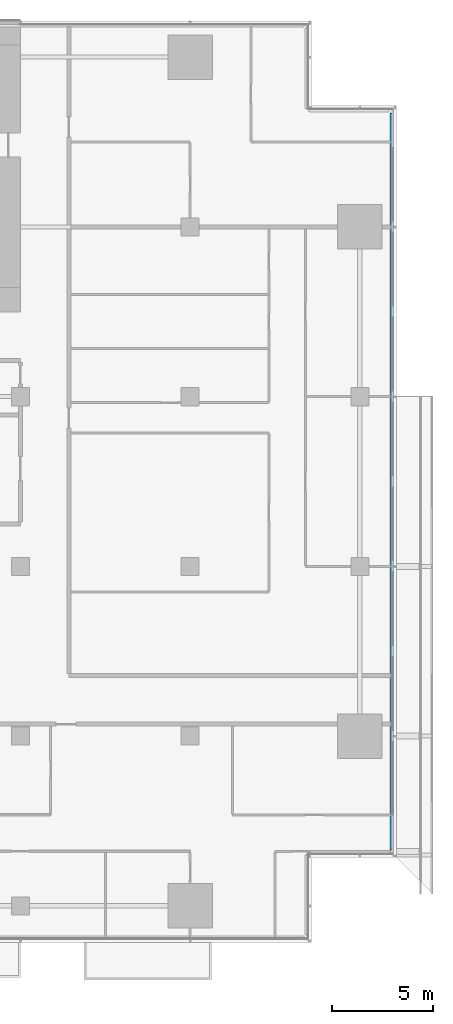
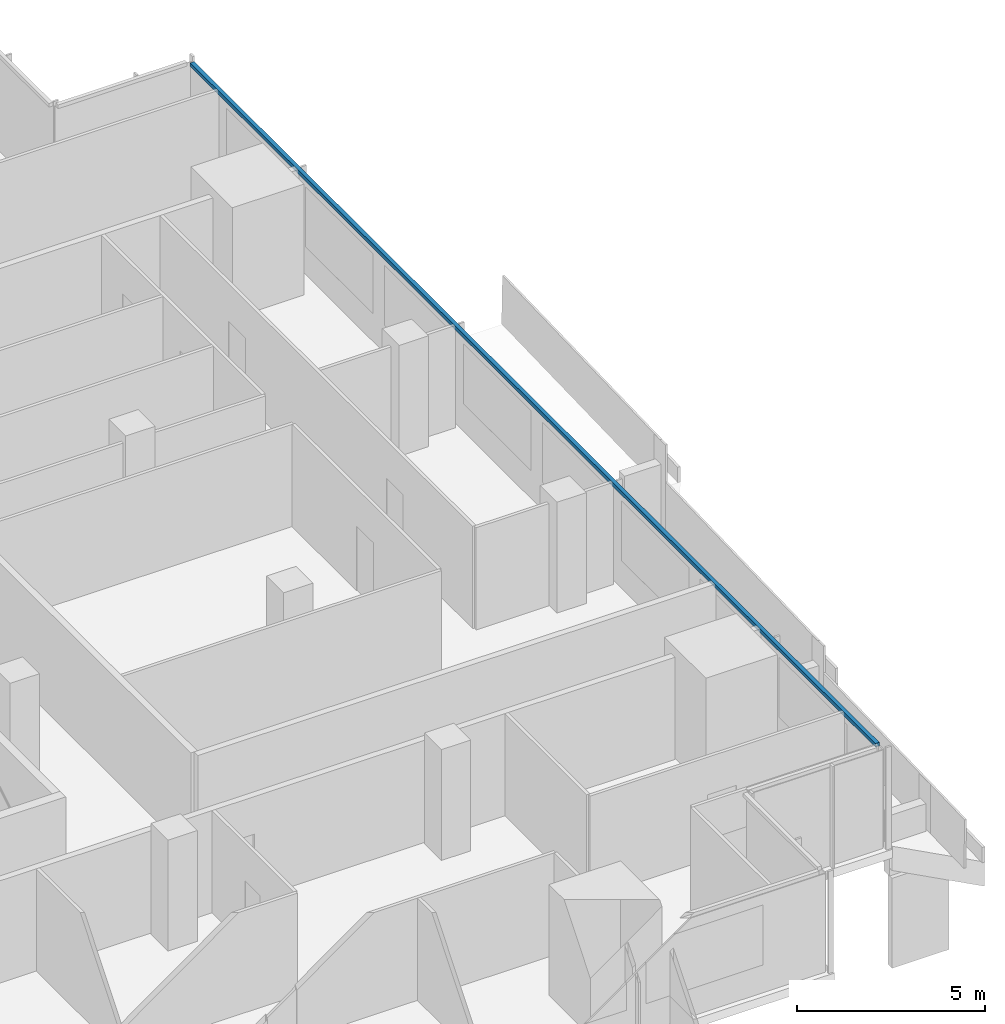
# One storey, part 13 of 28: 1 member, 1 element without a shape of its own.
"""IFC4 building model written with IfcOpenShell, lengths in metres."""

from ifc_helpers import new_model, si_unit, direction, frame, origin, origin_2d, place, context, subcontext, project, spatial, rectangle, extrude, material, material_profile, profile_set, type_object, element, aggregate, save


model = new_model("IFC4")

# Units and contexts
model_context = context("Model", 3, precision=1e-05, world=origin(), true_north=direction((0.0, 1.0)))
body_context = subcontext(model_context, "Body", "Model", "MODEL_VIEW")
ifc_project = project(units=[si_unit("LENGTHUNIT", "METRE"), si_unit("AREAUNIT", "SQUARE_METRE"), si_unit("VOLUMEUNIT", "CUBIC_METRE"), si_unit("PLANEANGLEUNIT", "RADIAN"), si_unit("MASSUNIT", "GRAM", prefix="KILO")], contexts=[model_context])

# Site, building, storey
site_placement = place(None, origin())
site = spatial("IfcSite", under=ifc_project, at=site_placement, CompositionType="ELEMENT")
building_placement = place(site_placement, origin())
building = spatial("IfcBuilding", under=site, at=building_placement, Name="Saffron Gate Tower", CompositionType="ELEMENT")
storey_placement = place(building_placement, frame((0.0, 0.0, 51.60009765625)))
storey = spatial("IfcBuildingStorey", under=building, at=storey_placement, Name="L11", CompositionType="ELEMENT", Elevation=51.60009765625)

# Curtain wall, member
ifc_material = material(Name="Aluminium, bronze anodised", Category="aluminium")
curtain_wall_type = type_object("IfcCurtainWallType", Name="CWS2 curtain wall side facades", PredefinedType="NOTDEFINED", material=ifc_material)
curtain_wall_placement = place(storey_placement, origin())
curtain_wall = element("IfcCurtainWall", 1, at=curtain_wall_placement, inside=storey, type_object=curtain_wall_type, Name="CWS2 run 4", PredefinedType="NOTDEFINED")
ifc_material_profile = material_profile(ifc_material, rectangle(XDim=0.1201171875, YDim=0.1201171875, at=origin_2d()))
ifc_profile_set = profile_set([ifc_material_profile], Name="Aluminium, bronze anodised")
member_type = type_object("IfcMemberType", Name="CWS2 head transom", PredefinedType="USERDEFINED", material=ifc_profile_set)
member_placement = place(storey_placement, frame((126.951904296875, 34.568115234375, 3.260009765625), z_axis=(0.0, 1.0, 0.0), x_axis=(-1.0, 0.0, 0.0)))
member = element("IfcMember", 2, at=member_placement, type_object=member_type, Name="CWS2 head transom", ObjectType="TRANSOM", PredefinedType="USERDEFINED", context=body_context, shape_type="SweptSolid", body=[
    extrude(rectangle(XDim=0.1201171875, YDim=0.1201171875, at=origin_2d()), origin(), (0.0, 0.0, 1.0), 36.4638671875),
])
aggregate(curtain_wall, [member])

save(model, "model.ifc")
